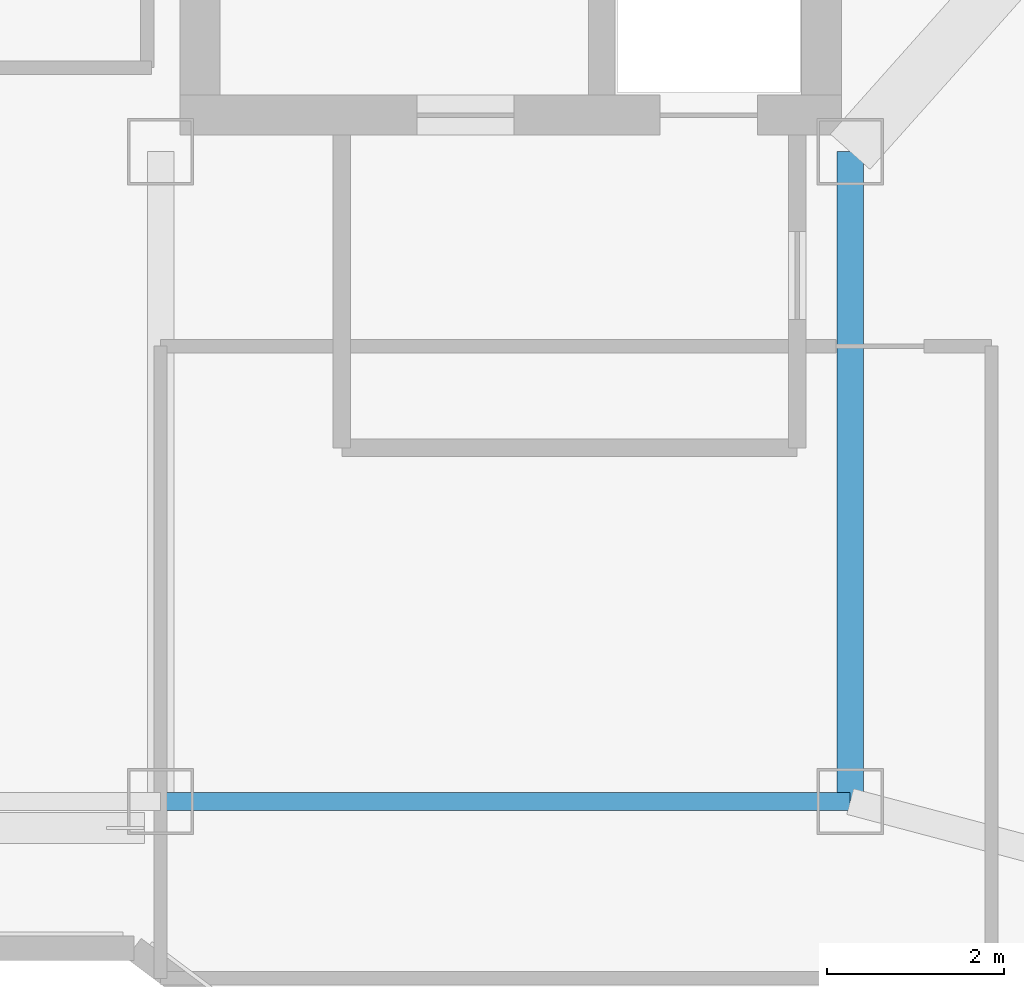
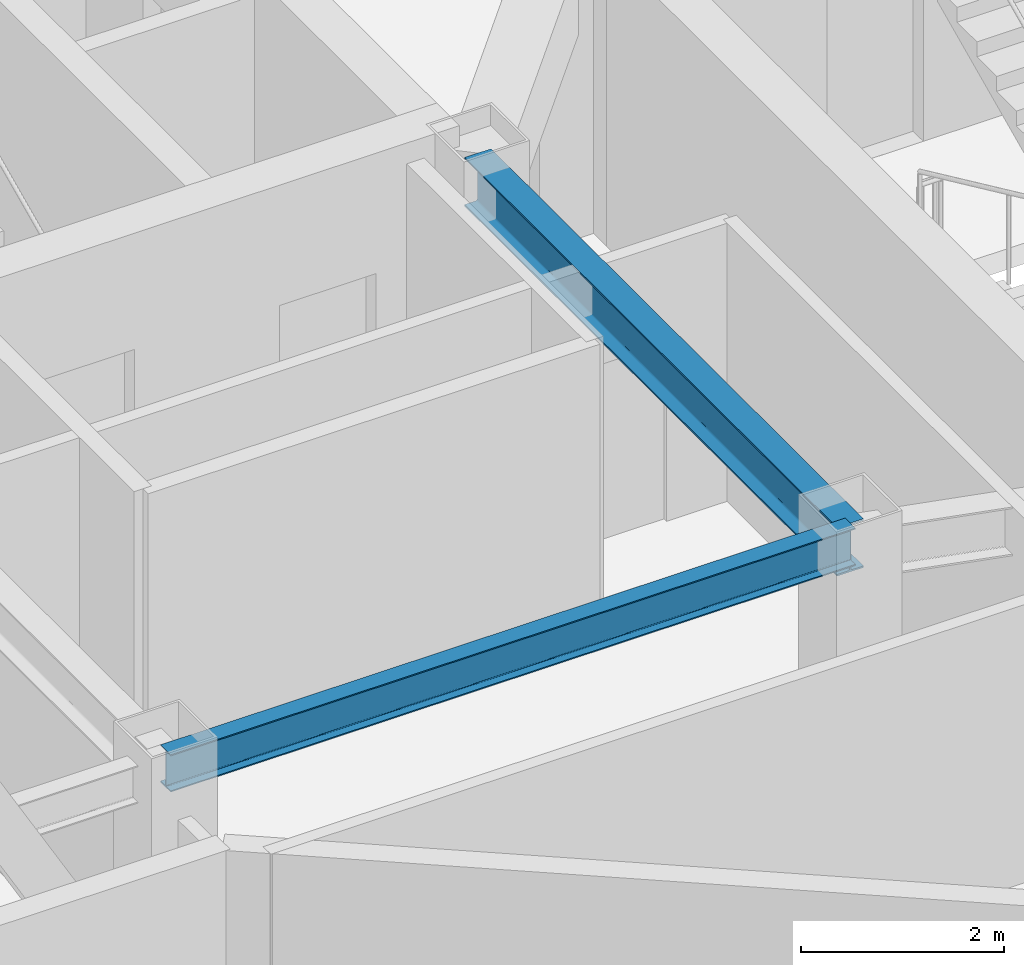
# One storey, part 5 of 24: 2 beams.
"""IFC4 building model written with IfcOpenShell, lengths in metres."""

from ifc_helpers import new_model, si_unit, direction, frame, origin, origin_2d, place, context, subcontext, project, spatial, i_section, extrude, material, material_profile, profile_set, type_object, element, save


model = new_model("IFC4")

# Units and contexts
model_context = context("Model", 3, precision=1e-05, world=origin(), true_north=direction((0.0, 1.0)))
body_context = subcontext(model_context, "Body", "Model", "MODEL_VIEW")
ifc_project = project(units=[si_unit("LENGTHUNIT", "METRE"), si_unit("AREAUNIT", "SQUARE_METRE"), si_unit("VOLUMEUNIT", "CUBIC_METRE"), si_unit("PLANEANGLEUNIT", "RADIAN"), si_unit("MASSUNIT", "GRAM", prefix="KILO")], contexts=[model_context])

# Site, building, storey
site_placement = place(None, origin())
site = spatial("IfcSite", under=ifc_project, at=site_placement, CompositionType="ELEMENT")
building_placement = place(site_placement, origin())
building = spatial("IfcBuilding", under=site, at=building_placement, Name="Hatsunagi Terrace Concourse", CompositionType="ELEMENT")
storey_placement = place(building_placement, frame((0.0, 0.0, 202.35009765625)))
storey = spatial("IfcBuildingStorey", under=building, at=storey_placement, Name="L53", CompositionType="ELEMENT", Elevation=202.35009765625)

# Beams
ifc_material_1 = material(Name="Steel SN490B", Category="steel")
ifc_material_profile_1 = material_profile(ifc_material_1, i_section(OverallWidth=0.300048828125, OverallDepth=0.587890625, WebThickness=0.011962890625, FlangeThickness=0.02001953125, FilletRadius=0.01806640625, at=origin_2d()), Name="H-588x300x12x20")
ifc_profile_set_1 = profile_set([ifc_material_profile_1], Name="Steel SN490B")
beam_type_1 = type_object("IfcBeamType", Name="OfficeHighGirder_H_588x300", PredefinedType="BEAM", material=ifc_profile_set_1)
beam_1_placement = place(storey_placement, frame((33.35009765625, 25.199951171875, 3.055908203125), z_axis=(0.0, 1.0, 0.0), x_axis=(-1.0, 0.0, 0.0)))
element("IfcBeam", 1, at=beam_1_placement, inside=storey, type_object=beam_type_1, Name="Beam G-06 BM-L53-K2CA", PredefinedType="BEAM", context=body_context, shape_type="SweptSolid", body=[
    extrude(i_section(OverallWidth=0.300048828125, OverallDepth=0.587890625, WebThickness=0.011962890625, FlangeThickness=0.02001953125, FilletRadius=0.01806640625, at=origin_2d()), origin(), (0.0, 0.0, 1.0), 7.35009765625),
])
ifc_material_2 = material(Name="Steel SN490B", Category="steel")
ifc_material_profile_2 = material_profile(ifc_material_2, i_section(OverallWidth=0.199951171875, OverallDepth=0.449951171875, WebThickness=0.009033203125, FlangeThickness=0.013916015625, FilletRadius=0.01611328125, at=origin_2d()), Name="H-450x200x9x14")
ifc_profile_set_2 = profile_set([ifc_material_profile_2], Name="Steel SN490B")
beam_type_2 = type_object("IfcBeamType", Name="PerimeterSpandrel_H_450x200", PredefinedType="SPANDREL", material=ifc_profile_set_2)
beam_2_placement = place(storey_placement, frame((25.550048828125, 25.199951171875, 3.125), z_axis=(1.0, 0.0, 0.0), x_axis=(0.0, 1.0, 0.0)))
element("IfcBeam", 2, at=beam_2_placement, inside=storey, type_object=beam_type_2, Name="Beam SP-02 BM-L53-WS-25", PredefinedType="SPANDREL", context=body_context, shape_type="SweptSolid", body=[
    extrude(i_section(OverallWidth=0.199951171875, OverallDepth=0.449951171875, WebThickness=0.009033203125, FlangeThickness=0.013916015625, FilletRadius=0.01611328125, at=origin_2d()), origin(), (0.0, 0.0, 1.0), 7.800048828125),
])

save(model, "model.ifc")
